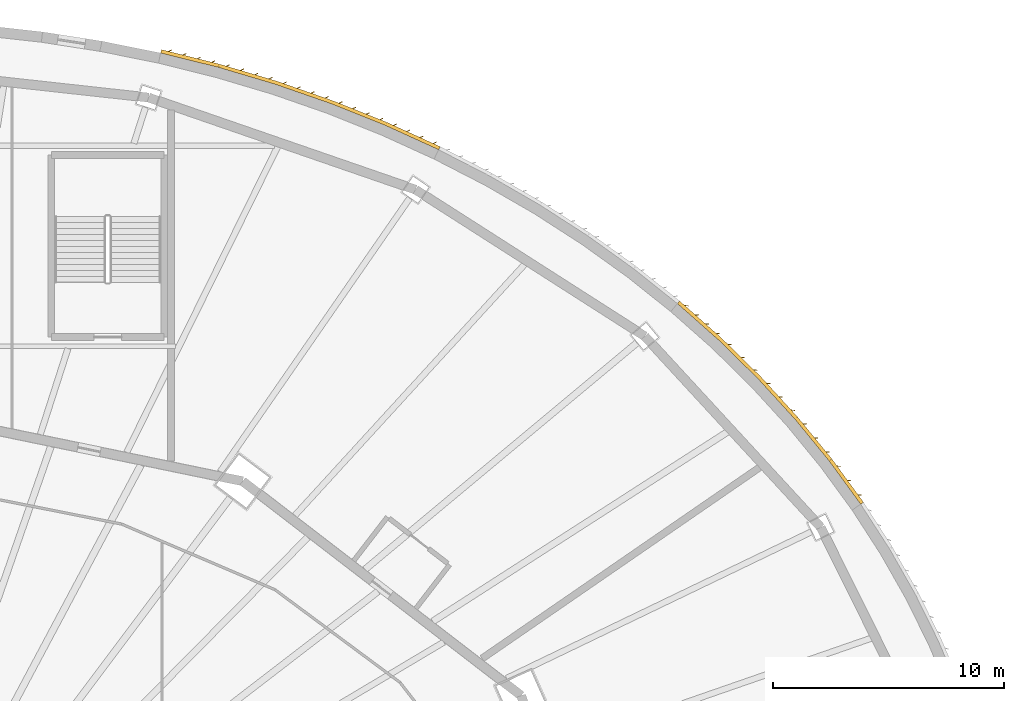
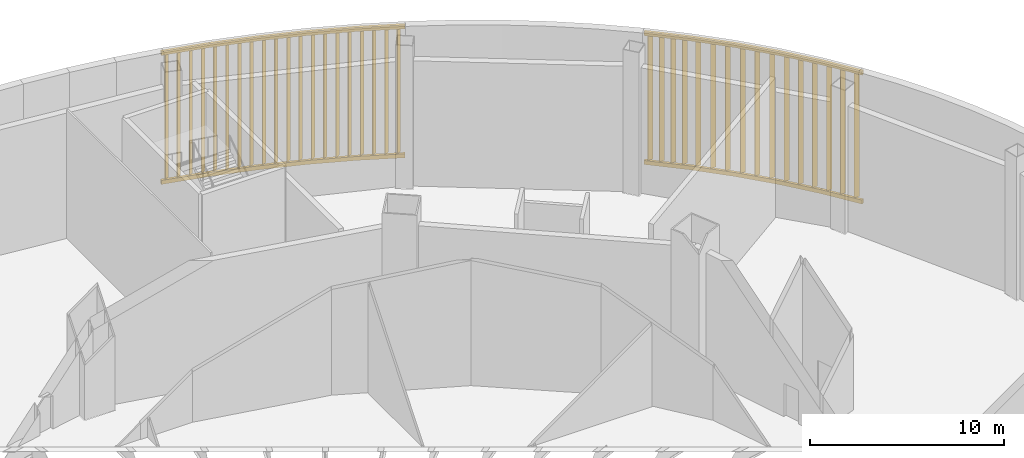
# One storey, part 35 of 35: 2 shading devices.
"""IFC4 building model written with IfcOpenShell, lengths in metres."""

from ifc_helpers import new_model, si_unit, direction, frame, origin, origin_2d, place, context, subcontext, project, spatial, rectangle, extrude, material, type_object, element, save


model = new_model("IFC4")

# Units and contexts
model_context = context("Model", 3, precision=1e-05, world=origin(), true_north=direction((0.0, 1.0)))
body_context = subcontext(model_context, "Body", "Model", "MODEL_VIEW")
ifc_project = project(units=[si_unit("LENGTHUNIT", "METRE"), si_unit("AREAUNIT", "SQUARE_METRE"), si_unit("VOLUMEUNIT", "CUBIC_METRE"), si_unit("PLANEANGLEUNIT", "RADIAN"), si_unit("MASSUNIT", "GRAM", prefix="KILO")], contexts=[model_context])

# Site, building, storey
site_placement = place(None, origin())
site = spatial("IfcSite", under=ifc_project, at=site_placement, CompositionType="ELEMENT")
building_placement = place(site_placement, origin())
building = spatial("IfcBuilding", under=site, at=building_placement, Name="Sahrelin Media Tower", CompositionType="ELEMENT")
storey_placement = place(building_placement, frame((0.0, 0.0, 8.0)))
storey = spatial("IfcBuildingStorey", under=building, at=storey_placement, Name="L01", CompositionType="ELEMENT", Elevation=8.0)

# Shading devices
ifc_material = material(Name="Champagne anodised aluminium 6063-T6", Category="aluminium")
shading_device_type = type_object("IfcShadingDeviceType", Name="Studio facade screen", PredefinedType="USERDEFINED", material=ifc_material)
shading_device_1_placement = place(storey_placement, frame((43.30126953125, 21.0, 0.0), z_axis=(0.0, 0.0, 1.0), x_axis=(0.674432963717, -0.738336087058, 0.0)))
element("IfcShadingDevice", 1, at=shading_device_1_placement, inside=storey, type_object=shading_device_type, Name="L01:SCREEN:L01-P02", ObjectType="SCREEN", PredefinedType="USERDEFINED", context=body_context, shape_type="SweptSolid", body=[
    extrude(rectangle(XDim=0.14990234375, YDim=0.25, at=origin_2d()), frame((0.00830078125, 0.074462890625, 0.35009765625), z_axis=(-0.993963012616, 0.109715675961, 0.0), x_axis=(-0.109715675961, -0.993963012616, 0.0)), (0.0, 0.0, 1.0), 2.32080078125),
    extrude(rectangle(XDim=0.14990234375, YDim=0.25, at=origin_2d()), frame((0.00830078125, 0.074462890625, 8.449951171875), z_axis=(-0.993963012616, 0.109715675961, 0.0), x_axis=(-0.109715675961, -0.993963012616, 0.0)), (0.0, 0.0, 1.0), 2.32080078125),
    extrude(rectangle(XDim=0.300048828125, YDim=0.0400390625, at=origin_2d()), frame((-0.367919921875, 0.19140625, 0.47509765625), z_axis=(0.0, 0.0, 1.0), x_axis=(0.707106781187, 0.707106781187, 0.0)), (0.0, 0.0, 1.0), 7.849853515625),
    extrude(rectangle(XDim=0.300048828125, YDim=0.0400390625, at=origin_2d()), frame((-1.136962890625, 0.2763671875, 0.47509765625), z_axis=(0.0, 0.0, 1.0), x_axis=(0.707106781187, 0.707106781187, 0.0)), (0.0, 0.0, 1.0), 7.849853515625),
    extrude(rectangle(XDim=0.300048828125, YDim=0.0400390625, at=origin_2d()), frame((-1.90576171875, 0.361083984375, 0.47509765625), z_axis=(0.0, 0.0, 1.0), x_axis=(0.707106781187, 0.707106781187, 0.0)), (0.0, 0.0, 1.0), 7.849853515625),
    extrude(rectangle(XDim=0.14990234375, YDim=0.25, at=origin_2d()), frame((-2.302490234375, 0.32958984375, 0.35009765625), z_axis=(-0.998517872109, 0.054424802051, 0.0), x_axis=(-0.054424802051, -0.998517872109, 0.0)), (0.0, 0.0, 1.0), 2.341552734375),
    extrude(rectangle(XDim=0.14990234375, YDim=0.25, at=origin_2d()), frame((-2.302490234375, 0.32958984375, 8.449951171875), z_axis=(-0.998517872109, 0.054424802051, 0.0), x_axis=(-0.054424802051, -0.998517872109, 0.0)), (0.0, 0.0, 1.0), 2.341552734375),
    extrude(rectangle(XDim=0.300048828125, YDim=0.0400390625, at=origin_2d()), frame((-2.688232421875, 0.425537109375, 0.47509765625), z_axis=(0.0, 0.0, 1.0), x_axis=(0.707106781187, 0.707106781187, 0.0)), (0.0, 0.0, 1.0), 7.849853515625),
    extrude(rectangle(XDim=0.300048828125, YDim=0.0400390625, at=origin_2d()), frame((-3.467529296875, 0.468017578125, 0.47509765625), z_axis=(0.0, 0.0, 1.0), x_axis=(0.707106781187, 0.707106781187, 0.0)), (0.0, 0.0, 1.0), 7.849853515625),
    extrude(rectangle(XDim=0.300048828125, YDim=0.0400390625, at=origin_2d()), frame((-4.246826171875, 0.510498046875, 0.47509765625), z_axis=(0.0, 0.0, 1.0), x_axis=(0.707106781187, 0.707106781187, 0.0)), (0.0, 0.0, 1.0), 7.849853515625),
    extrude(rectangle(XDim=0.14990234375, YDim=0.25, at=origin_2d()), frame((-4.644775390625, 0.45703125, 0.35009765625), z_axis=(-0.999999994661, 0.000103337811, 0.0), x_axis=(-0.000103337811, -0.999999994661, 0.0)), (0.0, 0.0, 1.0), 2.362548828125),
    extrude(rectangle(XDim=0.14990234375, YDim=0.25, at=origin_2d()), frame((-4.644775390625, 0.45703125, 8.449951171875), z_axis=(-0.999999994661, 0.000103337811, 0.0), x_axis=(-0.000103337811, -0.999999994661, 0.0)), (0.0, 0.0, 1.0), 2.362548828125),
    extrude(rectangle(XDim=0.300048828125, YDim=0.0400390625, at=origin_2d()), frame((-5.03857421875, 0.531982421875, 0.47509765625), z_axis=(0.0, 0.0, 1.0), x_axis=(0.707106781187, 0.707106781187, 0.0)), (0.0, 0.0, 1.0), 7.849853515625),
    extrude(rectangle(XDim=0.300048828125, YDim=0.0400390625, at=origin_2d()), frame((-5.826171875, 0.531982421875, 0.47509765625), z_axis=(0.0, 0.0, 1.0), x_axis=(0.707106781187, 0.707106781187, 0.0)), (0.0, 0.0, 1.0), 7.849853515625),
    extrude(rectangle(XDim=0.300048828125, YDim=0.0400390625, at=origin_2d()), frame((-6.61376953125, 0.5322265625, 0.47509765625), z_axis=(0.0, 0.0, 1.0), x_axis=(0.707106781187, 0.707106781187, 0.0)), (0.0, 0.0, 1.0), 7.849853515625),
    extrude(rectangle(XDim=0.14990234375, YDim=0.25, at=origin_2d()), frame((-7.011474609375, 0.45703125, 0.35009765625), z_axis=(-0.998570768026, -0.053445497889, 0.0), x_axis=(0.053445497889, -0.998570768026, 0.0)), (0.0, 0.0, 1.0), 2.384521484375),
    extrude(rectangle(XDim=0.14990234375, YDim=0.25, at=origin_2d()), frame((-7.011474609375, 0.45703125, 8.449951171875), z_axis=(-0.998570768026, -0.053445497889, 0.0), x_axis=(0.053445497889, -0.998570768026, 0.0)), (0.0, 0.0, 1.0), 2.384521484375),
    extrude(rectangle(XDim=0.300048828125, YDim=0.0400390625, at=origin_2d()), frame((-7.412353515625, 0.5107421875, 0.47509765625), z_axis=(0.0, 0.0, 1.0), x_axis=(0.707106781187, 0.707106781187, 0.0)), (0.0, 0.0, 1.0), 7.849853515625),
    extrude(rectangle(XDim=0.300048828125, YDim=0.0400390625, at=origin_2d()), frame((-8.2060546875, 0.46826171875, 0.47509765625), z_axis=(0.0, 0.0, 1.0), x_axis=(0.707106781187, 0.707106781187, 0.0)), (0.0, 0.0, 1.0), 7.849853515625),
    extrude(rectangle(XDim=0.300048828125, YDim=0.0400390625, at=origin_2d()), frame((-8.999755859375, 0.42578125, 0.47509765625), z_axis=(0.0, 0.0, 1.0), x_axis=(0.707106781187, 0.707106781187, 0.0)), (0.0, 0.0, 1.0), 7.849853515625),
    extrude(rectangle(XDim=0.14990234375, YDim=0.25, at=origin_2d()), frame((-9.396484375, 0.3291015625, 0.35009765625), z_axis=(-0.994395950407, -0.105719883718, 0.0), x_axis=(0.105719883718, -0.994395950407, 0.0)), (0.0, 0.0, 1.0), 2.40625),
    extrude(rectangle(XDim=0.14990234375, YDim=0.25, at=origin_2d()), frame((-9.396484375, 0.3291015625, 8.449951171875), z_axis=(-0.994395950407, -0.105719883718, 0.0), x_axis=(0.105719883718, -0.994395950407, 0.0)), (0.0, 0.0, 1.0), 2.40625),
    extrude(rectangle(XDim=0.300048828125, YDim=0.0400390625, at=origin_2d()), frame((-9.70361328125, 0.3720703125, 0.47509765625), z_axis=(0.0, 0.0, 1.0), x_axis=(0.707106781187, 0.707106781187, 0.0)), (0.0, 0.0, 1.0), 7.849853515625),
    extrude(rectangle(XDim=0.300048828125, YDim=0.0400390625, at=origin_2d()), frame((-10.3017578125, 0.308349609375, 0.47509765625), z_axis=(0.0, 0.0, 1.0), x_axis=(0.707106781187, 0.707106781187, 0.0)), (0.0, 0.0, 1.0), 7.849853515625),
    extrude(rectangle(XDim=0.300048828125, YDim=0.0400390625, at=origin_2d()), frame((-10.89990234375, 0.24462890625, 0.47509765625), z_axis=(0.0, 0.0, 1.0), x_axis=(0.707106781187, 0.707106781187, 0.0)), (0.0, 0.0, 1.0), 7.849853515625),
    extrude(rectangle(XDim=0.300048828125, YDim=0.0400390625, at=origin_2d()), frame((-11.498291015625, 0.180908203125, 0.47509765625), z_axis=(0.0, 0.0, 1.0), x_axis=(0.707106781187, 0.707106781187, 0.0)), (0.0, 0.0, 1.0), 7.849853515625),
])
shading_device_2_placement = place(storey_placement, frame((25.0, 36.373046875, 0.0), z_axis=(0.0, 0.0, 1.0), x_axis=(0.944472511528, -0.328590436515, 0.0)))
element("IfcShadingDevice", 2, at=shading_device_2_placement, inside=storey, type_object=shading_device_type, Name="L01:SCREEN:L01-P04", ObjectType="SCREEN", PredefinedType="USERDEFINED", context=body_context, shape_type="SweptSolid", body=[
    extrude(rectangle(XDim=0.14990234375, YDim=0.25, at=origin_2d()), frame((0.007080078125, 0.07470703125, 0.35009765625), z_axis=(-0.995676744861, 0.092886057851, 0.0), x_axis=(-0.092886057851, -0.995676744861, 0.0)), (0.0, 0.0, 1.0), 2.528564453125),
    extrude(rectangle(XDim=0.14990234375, YDim=0.25, at=origin_2d()), frame((0.007080078125, 0.07470703125, 8.449951171875), z_axis=(-0.995676744861, 0.092886057851, 0.0), x_axis=(-0.092886057851, -0.995676744861, 0.0)), (0.0, 0.0, 1.0), 2.528564453125),
    extrude(rectangle(XDim=0.300048828125, YDim=0.0400390625, at=origin_2d()), frame((-0.30078125, 0.1787109375, 0.47509765625), z_axis=(0.0, 0.0, 1.0), x_axis=(0.707106781187, 0.707106781187, 0.0)), (0.0, 0.0, 1.0), 7.849853515625),
    extrude(rectangle(XDim=0.300048828125, YDim=0.0400390625, at=origin_2d()), frame((-0.93017578125, 0.237548828125, 0.47509765625), z_axis=(0.0, 0.0, 1.0), x_axis=(0.707106781187, 0.707106781187, 0.0)), (0.0, 0.0, 1.0), 7.849853515625),
    extrude(rectangle(XDim=0.300048828125, YDim=0.0400390625, at=origin_2d()), frame((-1.5595703125, 0.296142578125, 0.47509765625), z_axis=(0.0, 0.0, 1.0), x_axis=(0.707106781187, 0.707106781187, 0.0)), (0.0, 0.0, 1.0), 7.849853515625),
    extrude(rectangle(XDim=0.300048828125, YDim=0.0400390625, at=origin_2d()), frame((-2.18896484375, 0.35498046875, 0.47509765625), z_axis=(0.0, 0.0, 1.0), x_axis=(0.707106781187, 0.707106781187, 0.0)), (0.0, 0.0, 1.0), 7.849853515625),
    extrude(rectangle(XDim=0.14990234375, YDim=0.25, at=origin_2d()), frame((-2.51416015625, 0.309814453125, 0.35009765625), z_axis=(-0.998930620484, 0.046234353666, 0.0), x_axis=(-0.046234353666, -0.998930620484, 0.0)), (0.0, 0.0, 1.0), 2.545166015625),
    extrude(rectangle(XDim=0.14990234375, YDim=0.25, at=origin_2d()), frame((-2.51416015625, 0.309814453125, 8.449951171875), z_axis=(-0.998930620484, 0.046234353666, 0.0), x_axis=(-0.046234353666, -0.998930620484, 0.0)), (0.0, 0.0, 1.0), 2.545166015625),
    extrude(rectangle(XDim=0.300048828125, YDim=0.0400390625, at=origin_2d()), frame((-2.828369140625, 0.3994140625, 0.47509765625), z_axis=(0.0, 0.0, 1.0), x_axis=(0.707106781187, 0.707106781187, 0.0)), (0.0, 0.0, 1.0), 7.849853515625),
    extrude(rectangle(XDim=0.300048828125, YDim=0.0400390625, at=origin_2d()), frame((-3.464111328125, 0.428955078125, 0.47509765625), z_axis=(0.0, 0.0, 1.0), x_axis=(0.707106781187, 0.707106781187, 0.0)), (0.0, 0.0, 1.0), 7.849853515625),
    extrude(rectangle(XDim=0.300048828125, YDim=0.0400390625, at=origin_2d()), frame((-4.099609375, 0.458251953125, 0.47509765625), z_axis=(0.0, 0.0, 1.0), x_axis=(0.707106781187, 0.707106781187, 0.0)), (0.0, 0.0, 1.0), 7.849853515625),
    extrude(rectangle(XDim=0.300048828125, YDim=0.0400390625, at=origin_2d()), frame((-4.7353515625, 0.48779296875, 0.47509765625), z_axis=(0.0, 0.0, 1.0), x_axis=(0.707106781187, 0.707106781187, 0.0)), (0.0, 0.0, 1.0), 7.849853515625),
    extrude(rectangle(XDim=0.14990234375, YDim=0.25, at=origin_2d()), frame((-5.06005859375, 0.427490234375, 0.35009765625), z_axis=(-1.0, 0.0, 0.0), x_axis=(0.0, -1.0, 0.0)), (0.0, 0.0, 1.0), 2.560546875),
    extrude(rectangle(XDim=0.14990234375, YDim=0.25, at=origin_2d()), frame((-5.06005859375, 0.427490234375, 8.449951171875), z_axis=(-1.0, 0.0, 0.0), x_axis=(0.0, -1.0, 0.0)), (0.0, 0.0, 1.0), 2.560546875),
    extrude(rectangle(XDim=0.300048828125, YDim=0.0400390625, at=origin_2d()), frame((-5.380126953125, 0.502685546875, 0.47509765625), z_axis=(0.0, 0.0, 1.0), x_axis=(0.707106781187, 0.707106781187, 0.0)), (0.0, 0.0, 1.0), 7.849853515625),
    extrude(rectangle(XDim=0.300048828125, YDim=0.0400390625, at=origin_2d()), frame((-6.020263671875, 0.502685546875, 0.47509765625), z_axis=(0.0, 0.0, 1.0), x_axis=(0.707106781187, 0.707106781187, 0.0)), (0.0, 0.0, 1.0), 7.849853515625),
    extrude(rectangle(XDim=0.300048828125, YDim=0.0400390625, at=origin_2d()), frame((-6.660400390625, 0.502685546875, 0.47509765625), z_axis=(0.0, 0.0, 1.0), x_axis=(0.707106781187, 0.707106781187, 0.0)), (0.0, 0.0, 1.0), 7.849853515625),
    extrude(rectangle(XDim=0.300048828125, YDim=0.0400390625, at=origin_2d()), frame((-7.300537109375, 0.502685546875, 0.47509765625), z_axis=(0.0, 0.0, 1.0), x_axis=(0.707106781187, 0.707106781187, 0.0)), (0.0, 0.0, 1.0), 7.849853515625),
    extrude(rectangle(XDim=0.14990234375, YDim=0.25, at=origin_2d()), frame((-7.6240234375, 0.427490234375, 0.35009765625), z_axis=(-0.998954807811, -0.045708773245, 0.0), x_axis=(0.045708773245, -0.998954807811, 0.0)), (0.0, 0.0, 1.0), 2.574462890625),
    extrude(rectangle(XDim=0.14990234375, YDim=0.25, at=origin_2d()), frame((-7.6240234375, 0.427490234375, 8.449951171875), z_axis=(-0.998954807811, -0.045708773245, 0.0), x_axis=(0.045708773245, -0.998954807811, 0.0)), (0.0, 0.0, 1.0), 2.574462890625),
    extrude(rectangle(XDim=0.300048828125, YDim=0.0400390625, at=origin_2d()), frame((-7.948974609375, 0.48779296875, 0.47509765625), z_axis=(0.0, 0.0, 1.0), x_axis=(0.707106781187, 0.707106781187, 0.0)), (0.0, 0.0, 1.0), 7.849853515625),
    extrude(rectangle(XDim=0.300048828125, YDim=0.0400390625, at=origin_2d()), frame((-8.592041015625, 0.458251953125, 0.47509765625), z_axis=(0.0, 0.0, 1.0), x_axis=(0.707106781187, 0.707106781187, 0.0)), (0.0, 0.0, 1.0), 7.849853515625),
    extrude(rectangle(XDim=0.300048828125, YDim=0.0400390625, at=origin_2d()), frame((-9.23486328125, 0.428955078125, 0.47509765625), z_axis=(0.0, 0.0, 1.0), x_axis=(0.707106781187, 0.707106781187, 0.0)), (0.0, 0.0, 1.0), 7.849853515625),
    extrude(rectangle(XDim=0.300048828125, YDim=0.0400390625, at=origin_2d()), frame((-9.877685546875, 0.3994140625, 0.47509765625), z_axis=(0.0, 0.0, 1.0), x_axis=(0.707106781187, 0.707106781187, 0.0)), (0.0, 0.0, 1.0), 7.849853515625),
    extrude(rectangle(XDim=0.14990234375, YDim=0.25, at=origin_2d()), frame((-10.19921875, 0.3095703125, 0.35009765625), z_axis=(-0.995868409854, -0.090808095761, 0.0), x_axis=(0.090808095761, -0.995868409854, 0.0)), (0.0, 0.0, 1.0), 2.58642578125),
    extrude(rectangle(XDim=0.14990234375, YDim=0.25, at=origin_2d()), frame((-10.19921875, 0.3095703125, 8.449951171875), z_axis=(-0.995868409854, -0.090808095761, 0.0), x_axis=(0.090808095761, -0.995868409854, 0.0)), (0.0, 0.0, 1.0), 2.58642578125),
    extrude(rectangle(XDim=0.300048828125, YDim=0.0400390625, at=origin_2d()), frame((-10.528076171875, 0.35498046875, 0.47509765625), z_axis=(0.0, 0.0, 1.0), x_axis=(0.707106781187, 0.707106781187, 0.0)), (0.0, 0.0, 1.0), 7.849853515625),
    extrude(rectangle(XDim=0.300048828125, YDim=0.0400390625, at=origin_2d()), frame((-11.171875, 0.296142578125, 0.47509765625), z_axis=(0.0, 0.0, 1.0), x_axis=(0.707106781187, 0.707106781187, 0.0)), (0.0, 0.0, 1.0), 7.849853515625),
    extrude(rectangle(XDim=0.300048828125, YDim=0.0400390625, at=origin_2d()), frame((-11.81591796875, 0.237548828125, 0.47509765625), z_axis=(0.0, 0.0, 1.0), x_axis=(0.707106781187, 0.707106781187, 0.0)), (0.0, 0.0, 1.0), 7.849853515625),
    extrude(rectangle(XDim=0.300048828125, YDim=0.0400390625, at=origin_2d()), frame((-12.459716796875, 0.1787109375, 0.47509765625), z_axis=(0.0, 0.0, 1.0), x_axis=(0.707106781187, 0.707106781187, 0.0)), (0.0, 0.0, 1.0), 7.849853515625),
])

save(model, "model.ifc")
